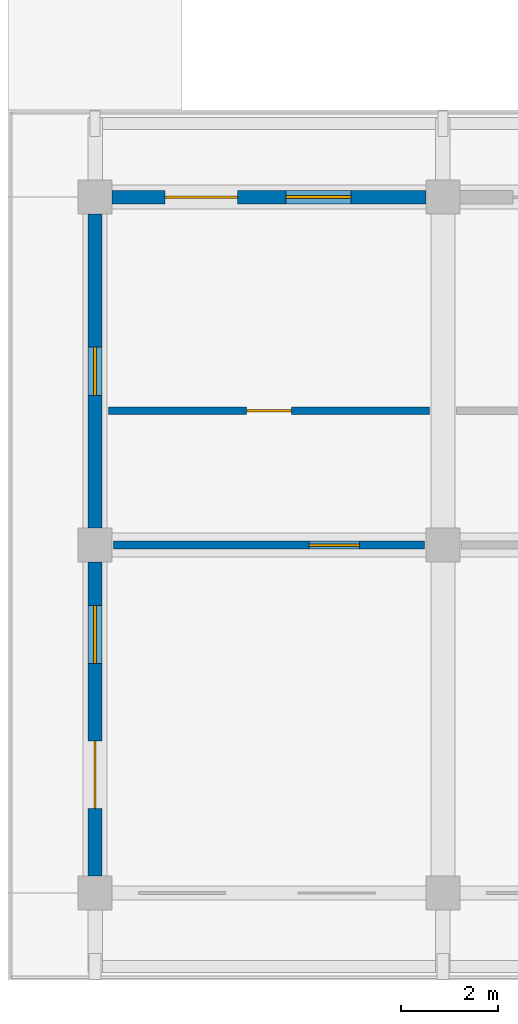
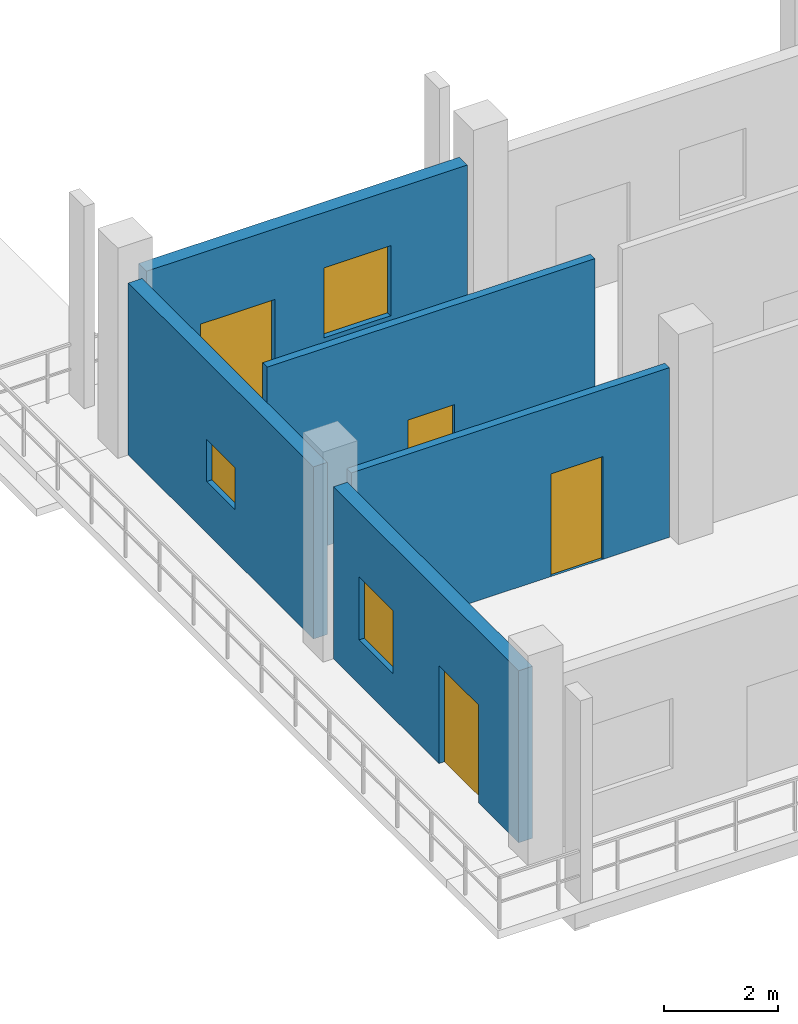
# One storey, part 70 of 110: 5 walls, 4 doors, 3 windows, 7 openings.
"""IFC4 building model written with IfcOpenShell, lengths in metres."""

from ifc_helpers import new_model, si_unit, direction, frame, frame_2d, origin, place, context, subcontext, project, spatial, rectangle, extrude, material, layer, layer_set, type_object, element, fill, save


model = new_model("IFC4")

# Units and contexts
model_context = context("Model", 3, precision=1e-05, world=origin(), true_north=direction((0.0, 1.0)))
body_context = subcontext(model_context, "Body", "Model", "MODEL_VIEW")
ifc_project = project(units=[si_unit("LENGTHUNIT", "METRE"), si_unit("AREAUNIT", "SQUARE_METRE"), si_unit("VOLUMEUNIT", "CUBIC_METRE"), si_unit("PLANEANGLEUNIT", "RADIAN"), si_unit("MASSUNIT", "GRAM", prefix="KILO")], contexts=[model_context])

# Site, building, storey
site_placement = place(None, origin())
site = spatial("IfcSite", under=ifc_project, at=site_placement, CompositionType="ELEMENT")
building_placement = place(site_placement, origin())
building = spatial("IfcBuilding", under=site, at=building_placement, Name="Suanplinth Sawtooth Commons", CompositionType="ELEMENT")
storey_placement = place(building_placement, frame((0.0, 0.0, 4.5)))
storey = spatial("IfcBuildingStorey", under=building, at=storey_placement, Name="L01", CompositionType="ELEMENT", Elevation=4.5)

# Wall, openings, door, window
ifc_material_1 = material(Name="Precast concrete C40/50", Category="concrete")
ifc_layer_1 = layer(ifc_material_1, 0.280029296875, Name="Insulated precast architectural facade wall 280mm")
ifc_layer_set_1 = layer_set([ifc_layer_1], Name="Precast concrete C40/50")
wall_type_1 = type_object("IfcWallType", Name="W-EX01", PredefinedType="ELEMENTEDWALL", material=ifc_layer_set_1)
wall_1_placement = place(storey_placement, frame((122.39990234375, 0.35009765625, 0.0), z_axis=(0.0, 0.0, 1.0), x_axis=(0.0, 1.0, 0.0)))
wall_1 = element("IfcWall", 1, at=wall_1_placement, inside=storey, type_object=wall_type_1, Name="Facade Wall W-L01-C-W-17-0", PredefinedType="ELEMENTEDWALL", context=body_context, shape_type="SweptSolid", body=[
    extrude(rectangle(XDim=6.5, YDim=0.280029296875, at=frame_2d((3.25, 0.0))), origin(), (0.0, 0.0, 1.0), 3.68505859375),
])
opening_1_placement = place(wall_1_placement, frame((1.39990234375, 0.0, 0.0)))
opening_1 = element("IfcOpeningElement", 2, at=opening_1_placement, cuts=wall_1, Name="Opening ED0088", PredefinedType="OPENING", context=body_context, shape_type="SweptSolid", body=[
    extrude(rectangle(XDim=1.39990234375, YDim=2.10009765625, at=frame_2d((0.699951171875, 1.050048828125))), frame((0.0, 0.15478515625, 0.0), z_axis=(0.0, -1.0, 0.0), x_axis=(1.0, 0.0, 0.0)), (0.0, 0.0, 1.0), 0.309814453125),
])
opening_2_placement = place(wall_1_placement, frame((4.39990234375, 0.0, 0.949951171875)))
opening_2 = element("IfcOpeningElement", 3, at=opening_2_placement, cuts=wall_1, Name="Opening W0209", PredefinedType="OPENING", context=body_context, shape_type="SweptSolid", body=[
    extrude(rectangle(XDim=1.199951171875, YDim=1.35009765625, at=frame_2d((0.60009765625, 0.675048828125))), frame((0.0, 0.15478515625, 0.0), z_axis=(0.0, -1.0, 0.0), x_axis=(1.0, 0.0, 0.0)), (0.0, 0.0, 1.0), 0.309814453125),
])
ifc_material_2 = material(Name="Anodized aluminium and low-E glass", Category="aluminium")
door_type_1 = type_object("IfcDoorType", Name="SD-07", OperationType="SLIDING_TO_RIGHT", PredefinedType="DOOR", material=ifc_material_2)
door_1_placement = place(opening_1_placement, frame((1.39990234375, 0.0, 0.0), z_axis=(0.0, 0.0, 1.0), x_axis=(-1.0, 0.0, 0.0)))
door_1 = element("IfcDoor", 4, at=door_1_placement, inside=storey, type_object=door_type_1, Name="End Balcony Sliding Door L01-C-W-17-0", OperationType="SLIDING_TO_RIGHT", OverallHeight=2.10009765625, OverallWidth=1.39990234375, PredefinedType="DOOR", context=body_context, shape_type="SweptSolid", body=[
    extrude(rectangle(XDim=1.39990234375, YDim=2.10009765625, at=frame_2d((0.699951171875, 1.050048828125))), frame((0.0, 0.02490234375, 0.0), z_axis=(0.0, -1.0, 0.0), x_axis=(1.0, 0.0, 0.0)), (0.0, 0.0, 1.0), 0.050048828125),
])
fill(opening_1, door_1)
ifc_material_3 = material(Name="Thermally broken aluminium and low-E double glazing", Category="aluminium")
window_type_1 = type_object("IfcWindowType", Name="WN-03", PartitioningType="SINGLE_PANEL", PredefinedType="WINDOW", material=ifc_material_3)
window_1_placement = place(opening_2_placement, origin())
window_1 = element("IfcWindow", 5, at=window_1_placement, inside=storey, type_object=window_type_1, Name="End Bedroom Window L01-C-17-0", OverallHeight=1.35009765625, OverallWidth=1.199951171875, PartitioningType="SINGLE_PANEL", PredefinedType="WINDOW", context=body_context, shape_type="SweptSolid", body=[
    extrude(rectangle(XDim=1.199951171875, YDim=1.35009765625, at=frame_2d((0.60009765625, 0.675048828125))), frame((0.0, 0.030029296875, 0.0), z_axis=(0.0, -1.0, 0.0), x_axis=(1.0, 0.0, 0.0)), (0.0, 0.0, 1.0), 0.06005859375),
])
fill(opening_2, window_1)

wall_2_placement = place(storey_placement, frame((122.75, 14.39990234375, 0.0), z_axis=(0.0, 0.0, 1.0), x_axis=(1.0, 0.0, 0.0)))
wall_2 = element("IfcWall", 6, at=wall_2_placement, inside=storey, type_object=wall_type_1, Name="Facade Wall W-L01-C-N-17-1", PredefinedType="ELEMENTEDWALL", context=body_context, shape_type="SweptSolid", body=[
    extrude(rectangle(XDim=6.5, YDim=0.280029296875, at=frame_2d((3.25, 0.0))), origin(), (0.0, 0.0, 1.0), 3.635009765625),
])
opening_3_placement = place(wall_2_placement, frame((1.10009765625, 0.0, 0.0)))
opening_3 = element("IfcOpeningElement", 7, at=opening_3_placement, cuts=wall_2, Name="Opening ED0089", PredefinedType="OPENING", context=body_context, shape_type="SweptSolid", body=[
    extrude(rectangle(XDim=1.5, YDim=2.1201171875, at=frame_2d((0.75, 1.06005859375))), frame((0.0, 0.15478515625, 0.0), z_axis=(0.0, -1.0, 0.0), x_axis=(1.0, 0.0, 0.0)), (0.0, 0.0, 1.0), 0.309814453125),
])
opening_4_placement = place(wall_2_placement, frame((3.60009765625, 0.0, 0.949951171875)))
opening_4 = element("IfcOpeningElement", 8, at=opening_4_placement, cuts=wall_2, Name="Opening W0210", PredefinedType="OPENING", context=body_context, shape_type="SweptSolid", body=[
    extrude(rectangle(XDim=1.35009765625, YDim=1.5, at=frame_2d((0.675048828125, 0.75))), frame((0.0, 0.15478515625, 0.0), z_axis=(0.0, -1.0, 0.0), x_axis=(1.0, 0.0, 0.0)), (0.0, 0.0, 1.0), 0.309814453125),
])
door_type_2 = type_object("IfcDoorType", Name="SD-03", OperationType="SLIDING_TO_LEFT", PredefinedType="DOOR", material=ifc_material_2)
door_2_placement = place(opening_3_placement, frame((1.5, 0.0, 0.0), z_axis=(0.0, 0.0, 1.0), x_axis=(-1.0, 0.0, 0.0)))
door_2 = element("IfcDoor", 9, at=door_2_placement, inside=storey, type_object=door_type_2, Name="Courtyard Balcony Door L01-C-17", OperationType="SLIDING_TO_LEFT", OverallHeight=2.1201171875, OverallWidth=1.5, PredefinedType="DOOR", context=body_context, shape_type="SweptSolid", body=[
    extrude(rectangle(XDim=1.5, YDim=2.1201171875, at=frame_2d((0.75, 1.06005859375))), frame((0.0, 0.02490234375, 0.0), z_axis=(0.0, -1.0, 0.0), x_axis=(1.0, 0.0, 0.0)), (0.0, 0.0, 1.0), 0.050048828125),
])
fill(opening_3, door_2)
window_type_2 = type_object("IfcWindowType", Name="WN-14", PartitioningType="SINGLE_PANEL", PredefinedType="WINDOW", material=ifc_material_3)
window_2_placement = place(opening_4_placement, origin())
window_2 = element("IfcWindow", 10, at=window_2_placement, inside=storey, type_object=window_type_2, Name="Courtyard Window L01-C-17", OverallHeight=1.5, OverallWidth=1.35009765625, PartitioningType="SINGLE_PANEL", PredefinedType="WINDOW", context=body_context, shape_type="SweptSolid", body=[
    extrude(rectangle(XDim=1.35009765625, YDim=1.5, at=frame_2d((0.675048828125, 0.75))), frame((0.0, 0.030029296875, 0.0), z_axis=(0.0, -1.0, 0.0), x_axis=(1.0, 0.0, 0.0)), (0.0, 0.0, 1.0), 0.06005859375),
])
fill(opening_4, window_2)

# Wall, opening, window
wall_3_placement = place(storey_placement, frame((122.39990234375, 7.550048828125, 0.0), z_axis=(0.0, 0.0, 1.0), x_axis=(0.0, 1.0, 0.0)))
wall_3 = element("IfcWall", 11, at=wall_3_placement, inside=storey, type_object=wall_type_1, Name="Facade Wall W-L01-C-W-17-1", PredefinedType="ELEMENTEDWALL", context=body_context, shape_type="SweptSolid", body=[
    extrude(rectangle(XDim=6.5, YDim=0.280029296875, at=frame_2d((3.25, 0.0))), origin(), (0.0, 0.0, 1.0), 3.68505859375),
])
opening_5_placement = place(wall_3_placement, frame((2.75, 0.0, 1.10009765625)))
opening_5 = element("IfcOpeningElement", 12, at=opening_5_placement, cuts=wall_3, Name="Opening W0211", PredefinedType="OPENING", context=body_context, shape_type="SweptSolid", body=[
    extrude(rectangle(XDim=1.0, YDim=0.89990234375, at=frame_2d((0.5, 0.449951171875))), frame((0.0, 0.15478515625, 0.0), z_axis=(0.0, -1.0, 0.0), x_axis=(1.0, 0.0, 0.0)), (0.0, 0.0, 1.0), 0.309814453125),
])
window_type_3 = type_object("IfcWindowType", Name="WN-12", PartitioningType="SINGLE_PANEL", PredefinedType="WINDOW", material=ifc_material_3)
window_3_placement = place(opening_5_placement, origin())
window_3 = element("IfcWindow", 13, at=window_3_placement, inside=storey, type_object=window_type_3, Name="End Window L01-C-W-17-1", OverallHeight=0.89990234375, OverallWidth=1.0, PartitioningType="SINGLE_PANEL", PredefinedType="WINDOW", context=body_context, shape_type="SweptSolid", body=[
    extrude(rectangle(XDim=1.0, YDim=0.89990234375, at=frame_2d((0.5, 0.449951171875))), frame((0.0, 0.030029296875, 0.0), z_axis=(0.0, -1.0, 0.0), x_axis=(1.0, 0.0, 0.0)), (0.0, 0.0, 1.0), 0.06005859375),
])
fill(opening_5, window_3)

# Wall, opening, door
ifc_layer_2 = layer(ifc_material_1, 0.159912109375, Name="Fire-rated corridor and lobby wall 160mm")
ifc_layer_set_2 = layer_set([ifc_layer_2], Name="Precast concrete C40/50")
wall_type_2 = type_object("IfcWallType", Name="W-FW01", PredefinedType="PARTITIONING", material=ifc_layer_set_2)
wall_4_placement = place(storey_placement, frame((122.780029296875, 7.199951171875, 0.0), z_axis=(0.0, 0.0, 1.0), x_axis=(1.0, 0.0, 0.0)))
wall_4 = element("IfcWall", 14, at=wall_4_placement, inside=storey, type_object=wall_type_2, Name="W-C-L01-U01-COR-S1", PredefinedType="PARTITIONING", context=body_context, shape_type="SweptSolid", body=[
    extrude(rectangle(XDim=6.43994140625, YDim=0.159912109375, at=frame_2d((3.219970703125, 0.0))), origin(), (0.0, 0.0, 1.0), 3.635009765625),
])
opening_6_placement = place(wall_4_placement, frame((4.044921875, 0.0, 0.0)))
opening_6 = element("IfcOpeningElement", 15, at=opening_6_placement, cuts=wall_4, Name="Opening D0616", PredefinedType="OPENING", context=body_context, shape_type="SweptSolid", body=[
    extrude(rectangle(XDim=1.050048828125, YDim=2.199951171875, at=frame_2d((0.52490234375, 1.10009765625))), frame((0.0, 0.0947265625, 0.0), z_axis=(0.0, -1.0, 0.0), x_axis=(1.0, 0.0, 0.0)), (0.0, 0.0, 1.0), 0.189697265625),
])
ifc_material_4 = material(Name="Teak hardwood", Category="wood")
door_type_3 = type_object("IfcDoorType", Name="D-05", OperationType="NOTDEFINED", PredefinedType="DOOR", material=ifc_material_4)
door_3_placement = place(opening_6_placement, frame((1.050048828125, 0.0, 0.0), z_axis=(0.0, 0.0, 1.0), x_axis=(-1.0, 0.0, 0.0)))
door_3 = element("IfcDoor", 16, at=door_3_placement, inside=storey, type_object=door_type_3, Name="Unit Entrance Door D0616", OperationType="SINGLE_SWING_RIGHT", OverallHeight=2.199951171875, OverallWidth=1.050048828125, PredefinedType="DOOR", context=body_context, shape_type="SweptSolid", body=[
    extrude(rectangle(XDim=1.050048828125, YDim=2.199951171875, at=frame_2d((0.52490234375, 1.10009765625))), frame((0.0, 0.02490234375, 0.0), z_axis=(0.0, -1.0, 0.0), x_axis=(1.0, 0.0, 0.0)), (0.0, 0.0, 1.0), 0.050048828125),
])
fill(opening_6, door_3)

wall_5_placement = place(storey_placement, frame((122.679931640625, 9.97998046875, 0.0), z_axis=(0.0, 0.0, 1.0), x_axis=(1.0, 0.0, 0.0)))
wall_5 = element("IfcWall", 17, at=wall_5_placement, inside=storey, type_object=wall_type_2, Name="W-C-L01-COURTROOM-48-COR", PredefinedType="PARTITIONING", context=body_context, shape_type="SweptSolid", body=[
    extrude(rectangle(XDim=6.64013671875, YDim=0.159912109375, at=frame_2d((3.320068359375, 0.0))), origin(), (0.0, 0.0, 1.0), 4.25),
])
opening_7_placement = place(wall_5_placement, frame((2.85009765625, 0.0, 0.0)))
opening_7 = element("IfcOpeningElement", 18, at=opening_7_placement, cuts=wall_5, Name="Opening D0636", PredefinedType="OPENING", context=body_context, shape_type="SweptSolid", body=[
    extrude(rectangle(XDim=0.93994140625, YDim=2.1201171875, at=frame_2d((0.469970703125, 1.06005859375))), frame((0.0, 0.0947265625, 0.0), z_axis=(0.0, -1.0, 0.0), x_axis=(1.0, 0.0, 0.0)), (0.0, 0.0, 1.0), 0.189697265625),
])
door_type_4 = type_object("IfcDoorType", Name="D-15", OperationType="NOTDEFINED", PredefinedType="DOOR", material=ifc_material_4)
door_4_placement = place(opening_7_placement, origin())
door_4 = element("IfcDoor", 19, at=door_4_placement, inside=storey, type_object=door_type_4, Name="Study Studio Door D0636", OperationType="SINGLE_SWING_RIGHT", OverallHeight=2.1201171875, OverallWidth=0.93994140625, PredefinedType="DOOR", context=body_context, shape_type="SweptSolid", body=[
    extrude(rectangle(XDim=0.93994140625, YDim=2.1201171875, at=frame_2d((0.469970703125, 1.06005859375))), frame((0.0, 0.02490234375, 0.0), z_axis=(0.0, -1.0, 0.0), x_axis=(1.0, 0.0, 0.0)), (0.0, 0.0, 1.0), 0.050048828125),
])
fill(opening_7, door_4)

save(model, "model.ifc")
